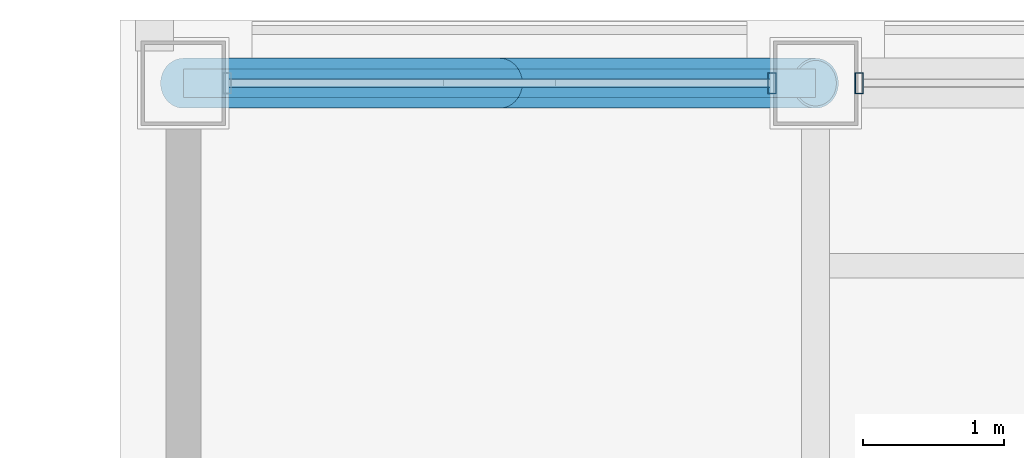
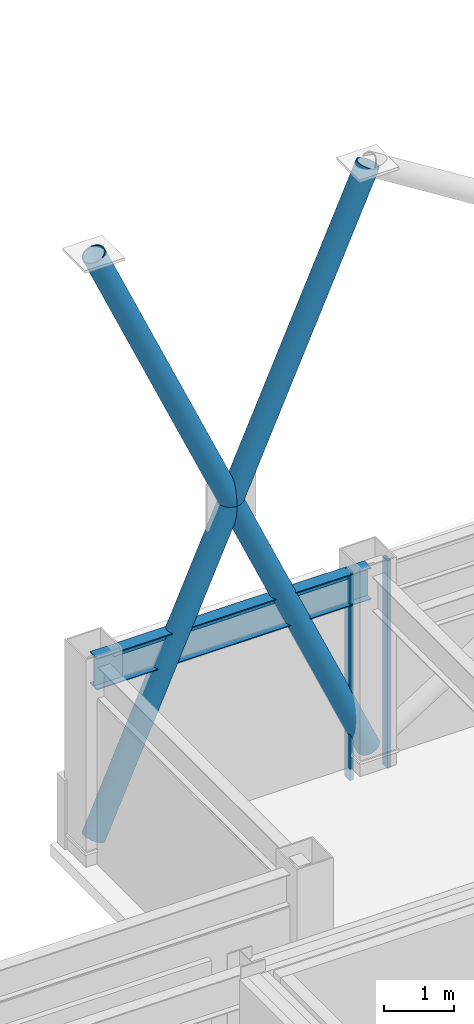
# One storey, part 18 of 27: 6 members, 1 beam, 2 elements without a shape of their own.
"""IFC4 building model written with IfcOpenShell, lengths in metres."""

from ifc_helpers import new_model, si_unit, direction, frame, origin, origin_2d, place, context, subcontext, project, spatial, hollow_rectangle, hollow_circle, i_section, extrude, material, layer, layer_set, material_profile, profile_set, type_object, element, aggregate, save


model = new_model("IFC4")

# Units and contexts
model_context = context("Model", 3, precision=1e-05, world=origin(), true_north=direction((0.0, 1.0)))
body_context = subcontext(model_context, "Body", "Model", "MODEL_VIEW")
ifc_project = project(units=[si_unit("LENGTHUNIT", "METRE"), si_unit("AREAUNIT", "SQUARE_METRE"), si_unit("VOLUMEUNIT", "CUBIC_METRE"), si_unit("PLANEANGLEUNIT", "RADIAN"), si_unit("MASSUNIT", "GRAM", prefix="KILO")], contexts=[model_context])

# Site, building, storey
site_placement = place(None, origin())
site = spatial("IfcSite", under=ifc_project, at=site_placement, CompositionType="ELEMENT")
building_placement = place(site_placement, origin())
building = spatial("IfcBuilding", under=site, at=building_placement, Name="Brelmoor Portico Tower", CompositionType="ELEMENT")
storey_placement = place(building_placement, frame((0.0, 0.0, 258.0)))
storey = spatial("IfcBuildingStorey", under=building, at=storey_placement, Name="L68", CompositionType="ELEMENT", Elevation=258.0)

# Beam
ifc_material_1 = material(Name="Steel Q355B", Category="steel")
ifc_material_profile_1 = material_profile(ifc_material_1, i_section(OverallWidth=0.199951171875, OverallDepth=0.550048828125, WebThickness=0.010009765625, FlangeThickness=0.01611328125, at=origin_2d()), Name="HN 550x200x10x16")
ifc_profile_set_1 = profile_set([ifc_material_profile_1], Name="Steel Q355B")
beam_type = type_object("IfcBeamType", Name="BM-SP-550", PredefinedType="SPANDREL", material=ifc_profile_set_1)
beam_placement = place(storey_placement, frame((-12.550048828125, 17.550048828125, 3.125), z_axis=(1.0, 0.0, 0.0), x_axis=(0.0, 1.0, 0.0)))
element("IfcBeam", 1, at=beam_placement, inside=storey, type_object=beam_type, Name="L68 Perimeter Spandrel Beam SP-08", PredefinedType="SPANDREL", context=body_context, shape_type="SweptSolid", body=[
    extrude(i_section(OverallWidth=0.199951171875, OverallDepth=0.550048828125, WebThickness=0.010009765625, FlangeThickness=0.01611328125, at=origin_2d()), origin(), (0.0, 0.0, 1.0), 4.5),
])

# Members
ifc_material_profile_2 = material_profile(ifc_material_1, hollow_circle(Radius=0.177978515625, WallThickness=0.01611328125, at=origin_2d()), Name="CHS 356x16")
ifc_profile_set_2 = profile_set([ifc_material_profile_2], Name="Steel Q355B")
member_type_1 = type_object("IfcMemberType", Name="MB-BELT-DIAG2", PredefinedType="BRACE", material=ifc_profile_set_2)
member_1_placement = place(storey_placement, frame((-12.550048828125, 17.550048828125, 0.25), z_axis=(0.406974140277, 0.0, 0.913439680081), x_axis=(0.0, 1.0, 0.0)))
element("IfcMember", 2, at=member_1_placement, inside=storey, type_object=member_type_1, Name="L68 Continuous Mega-X Brace 151A", PredefinedType="BRACE", context=body_context, shape_type="SweptSolid", body=[
    extrude(hollow_circle(Radius=0.177978515625, WallThickness=0.01611328125, at=origin_2d()), origin(), (0.0, 0.0, 1.0), 11.05712890625),
])
for number, where, z_axis, x_axis, name in (
    (3, (-8.050048828125, 17.550048828125, 0.25), (-0.406974140277, 0.0, 0.913439680081), (0.0, -1.0, 0.0), "L68 Split Mega-X Brace 151B1"),
    (4, (-10.300048828125, 17.550048828125, 5.300048828125), (-0.406974140277, 0.0, 0.913439680081), (0.0, -1.0, 0.0), "L68 Split Mega-X Brace 151B2"),
):
    element("IfcMember", number, at=place(storey_placement, frame(where, z_axis=z_axis, x_axis=x_axis)), inside=storey, type_object=member_type_1, Name=name, PredefinedType="BRACE", context=body_context, shape_type="SweptSolid", body=[
        extrude(hollow_circle(Radius=0.177978515625, WallThickness=0.01611328125, at=origin_2d()), origin(), (0.0, 0.0, 1.0), 5.528564453125),
    ])

# Curtain wall, member
ifc_material_2 = material(Name="Anodised Aluminium Alloy 6063-T6", Category="aluminium")
ifc_layer = layer(ifc_material_2, 0.179931640625)
ifc_layer_set = layer_set([ifc_layer], Name="Anodised Aluminium Alloy 6063-T6")
curtain_wall_type = type_object("IfcCurtainWallType", Name="CW-TOWER-Z4-XB", PredefinedType="NOTDEFINED", material=ifc_layer_set)
curtain_wall_1_placement = place(storey_placement, origin())
curtain_wall_1 = element("IfcCurtainWall", 5, at=curtain_wall_1_placement, inside=storey, type_object=curtain_wall_type, Name="L68 Curtain Wall CW-L68-02-1", PredefinedType="NOTDEFINED")
ifc_material_profile_3 = material_profile(ifc_material_2, hollow_rectangle(XDim=0.06005859375, YDim=0.14990234375, WallThickness=0.00390625, at=origin_2d()), Name="ALU MULLION 60x150")
ifc_profile_set_3 = profile_set([ifc_material_profile_3], Name="Anodised Aluminium Alloy 6063-T6")
member_type_2 = type_object("IfcMemberType", Name="MB-CW-MULL-150", PredefinedType="MULLION", material=ifc_profile_set_3)
member_2_placement = place(storey_placement, frame((-8.360107421875, 17.550048828125, -0.199951171875), z_axis=(0.0, 0.0, 1.0), x_axis=(1.0, 0.0, 0.0)))
member_2 = element("IfcMember", 6, at=member_2_placement, type_object=member_type_2, Name="CW-L68-02-1 Mullion 01", PredefinedType="MULLION", context=body_context, shape_type="SweptSolid", body=[
    extrude(hollow_rectangle(XDim=0.06005859375, YDim=0.14990234375, WallThickness=0.00390625, at=origin_2d()), origin(), (0.0, 0.0, 1.0), 3.599853515625),
])

curtain_wall_2_placement = place(storey_placement, origin())
curtain_wall_2 = element("IfcCurtainWall", 7, at=curtain_wall_2_placement, inside=storey, type_object=curtain_wall_type, Name="L68 Curtain Wall CW-L68-02-2", PredefinedType="NOTDEFINED")
member_3_placement = place(storey_placement, frame((-7.739990234375, 17.550048828125, -0.199951171875), z_axis=(0.0, 0.0, 1.0), x_axis=(1.0, 0.0, 0.0)))
member_3 = element("IfcMember", 8, at=member_3_placement, type_object=member_type_2, Name="CW-L68-02-2 Mullion 00", PredefinedType="MULLION", context=body_context, shape_type="SweptSolid", body=[
    extrude(hollow_rectangle(XDim=0.06005859375, YDim=0.14990234375, WallThickness=0.00390625, at=origin_2d()), origin(), (0.0, 0.0, 1.0), 3.599853515625),
])
aggregate(curtain_wall_2, [member_3])

# Member
ifc_material_profile_4 = material_profile(ifc_material_2, hollow_rectangle(XDim=0.06005859375, YDim=0.125, WallThickness=0.00341796875, at=origin_2d()), Name="ALU TRANSOM 60x125")
ifc_profile_set_4 = profile_set([ifc_material_profile_4], Name="Anodised Aluminium Alloy 6063-T6")
member_type_3 = type_object("IfcMemberType", Name="MB-CW-TRAN-125", PredefinedType="USERDEFINED", material=ifc_profile_set_4)
member_4_placement = place(storey_placement, frame((-12.239990234375, 17.550048828125, 3.33740234375), z_axis=(1.0, 0.0, 0.0), x_axis=(0.0, 1.0, 0.0)))
member_4 = element("IfcMember", 9, at=member_4_placement, type_object=member_type_3, Name="CW-L68-02-1 Transom 1-00", ObjectType="TRANSOM", PredefinedType="USERDEFINED", context=body_context, shape_type="SweptSolid", body=[
    extrude(hollow_rectangle(XDim=0.06005859375, YDim=0.125, WallThickness=0.00341796875, at=origin_2d()), origin(), (0.0, 0.0, 1.0), 3.8798828125),
])

aggregate(curtain_wall_1, [member_2, member_4])

save(model, "model.ifc")
